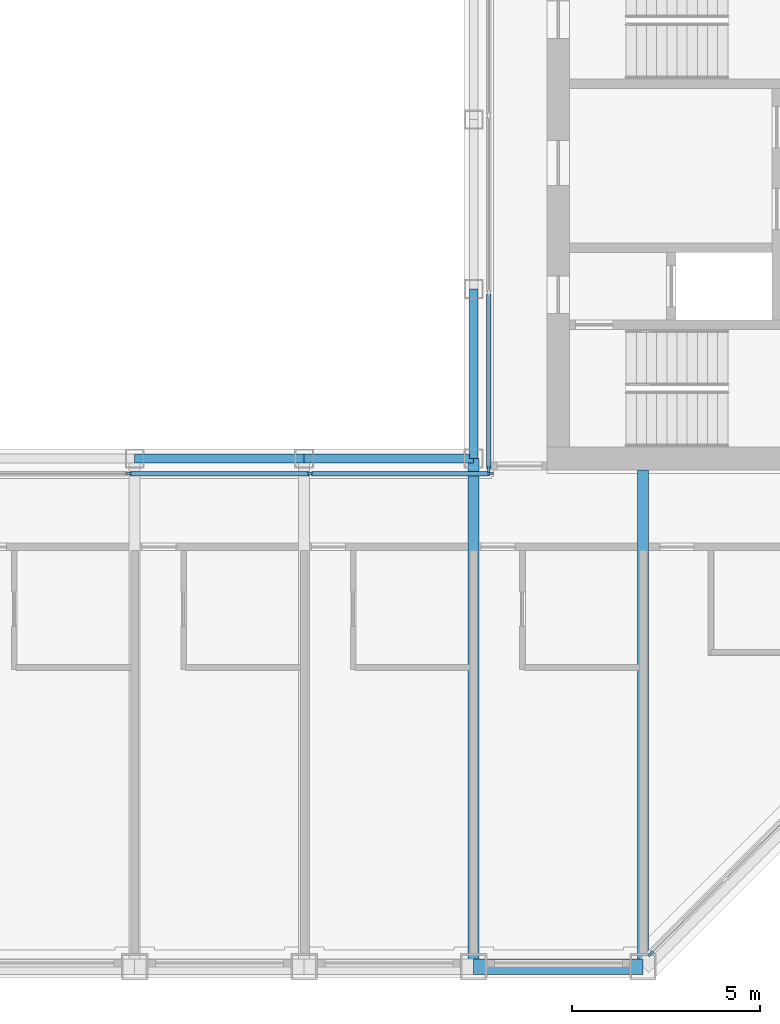
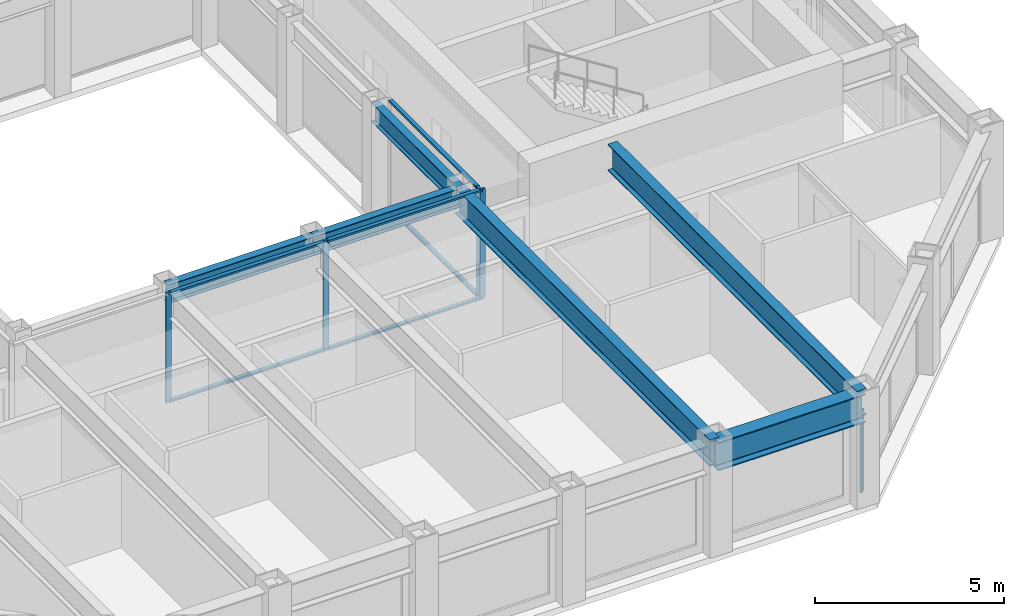
# One storey, part 3 of 18: 11 members, 6 beams, 3 elements without a shape of their own.
"""IFC4 building model written with IfcOpenShell, lengths in metres."""

from ifc_helpers import new_model, si_unit, direction, frame, origin, origin_2d, place, context, subcontext, project, spatial, rectangle, i_section, extrude, material, material_profile, profile_set, type_object, element, aggregate, save


model = new_model("IFC4")

# Units and contexts
model_context = context("Model", 3, precision=1e-05, world=origin(), true_north=direction((0.0, 1.0)))
body_context = subcontext(model_context, "Body", "Model", "MODEL_VIEW")
ifc_project = project(units=[si_unit("LENGTHUNIT", "METRE"), si_unit("AREAUNIT", "SQUARE_METRE"), si_unit("VOLUMEUNIT", "CUBIC_METRE"), si_unit("PLANEANGLEUNIT", "RADIAN"), si_unit("MASSUNIT", "GRAM", prefix="KILO")], contexts=[model_context])

# Site, building, storey
site_placement = place(None, origin())
site = spatial("IfcSite", under=ifc_project, at=site_placement, CompositionType="ELEMENT")
building_placement = place(site_placement, origin())
building = spatial("IfcBuilding", under=site, at=building_placement, Name="Msasa Ring Tower", CompositionType="ELEMENT")
storey_placement = place(building_placement, frame((0.0, 0.0, 208.300048828125)))
storey = spatial("IfcBuildingStorey", under=building, at=storey_placement, Name="L54", CompositionType="ELEMENT", Elevation=208.300048828125)

# Curtain wall, member
ifc_material_1 = material(Name="Aluminium curtain wall with clear glass", Category="aluminium")
curtain_wall_type_1 = type_object("IfcCurtainWallType", Name="CW-C CHAMFER CORNER CURTAIN WALL", PredefinedType="NOTDEFINED", material=ifc_material_1)
curtain_wall_1_placement = place(storey_placement, origin())
curtain_wall_1 = element("IfcCurtainWall", 1, at=curtain_wall_1_placement, inside=storey, type_object=curtain_wall_type_1, Name="Chamfer corner curtain wall SE L54", PredefinedType="NOTDEFINED")
ifc_material_2 = material(Name="Aluminium mullion", Category="aluminium")
ifc_material_profile_1 = material_profile(ifc_material_2, rectangle(XDim=0.06494140625, YDim=0.179931640625, at=origin_2d()), Name="AL 65x180")
ifc_profile_set_1 = profile_set([ifc_material_profile_1], Name="Aluminium mullion")
member_type_1 = type_object("IfcMemberType", Name="CW-C MULLION 65x180", PredefinedType="MULLION", material=ifc_profile_set_1)
member_1_placement = place(storey_placement, frame((11.453369140625, -19.9052734375, 0.0), z_axis=(0.0, 0.0, 1.0), x_axis=(-0.707106781187, 0.707106781187, 0.0)))
member_1 = element("IfcMember", 2, at=member_1_placement, type_object=member_type_1, Name="CW-C mullion 1", PredefinedType="MULLION", context=body_context, shape_type="SweptSolid", body=[
    extrude(rectangle(XDim=0.06494140625, YDim=0.179931640625, at=origin_2d()), origin(), (0.0, 0.0, 1.0), 2.62890625),
])
aggregate(curtain_wall_1, [member_1])

# Curtain wall, members
ifc_material_3 = material(Name="Aluminium curtain wall with clear glass", Category="aluminium")
curtain_wall_type_2 = type_object("IfcCurtainWallType", Name="CW-W LIGHT WELL CURTAIN WALL", PredefinedType="NOTDEFINED", material=ifc_material_3)
curtain_wall_2_placement = place(storey_placement, origin())
curtain_wall_2 = element("IfcCurtainWall", 3, at=curtain_wall_2_placement, inside=storey, type_object=curtain_wall_type_2, Name="Light well curtain wall S L54", PredefinedType="NOTDEFINED")
ifc_material_4 = material(Name="Aluminium mullion", Category="aluminium")
ifc_material_profile_2 = material_profile(ifc_material_4, rectangle(XDim=0.06005859375, YDim=0.159912109375, at=origin_2d()), Name="AL 60x160")
ifc_profile_set_2 = profile_set([ifc_material_profile_2], Name="Aluminium mullion")
member_type_2 = type_object("IfcMemberType", Name="CW-W MULLION 60x160", PredefinedType="MULLION", material=ifc_profile_set_2)
member_2_placement = place(storey_placement, frame((-2.409912109375, -7.14990234375, 0.0), z_axis=(0.0, 0.0, 1.0), x_axis=(0.0, 1.0, 0.0)))
member_2 = element("IfcMember", 4, at=member_2_placement, type_object=member_type_2, Name="CW-W mullion 2", PredefinedType="MULLION", context=body_context, shape_type="SweptSolid", body=[
    extrude(rectangle(XDim=0.06005859375, YDim=0.159912109375, at=origin_2d()), origin(), (0.0, 0.0, 1.0), 3.550048828125),
])
member_3_placement = place(storey_placement, frame((2.409912109375, -7.14990234375, 0.0), z_axis=(0.0, 0.0, 1.0), x_axis=(0.0, 1.0, 0.0)))
member_3 = element("IfcMember", 5, at=member_3_placement, type_object=member_type_2, Name="CW-W mullion 3", PredefinedType="MULLION", context=body_context, shape_type="SweptSolid", body=[
    extrude(rectangle(XDim=0.06005859375, YDim=0.159912109375, at=origin_2d()), origin(), (0.0, 0.0, 1.0), 3.550048828125),
])
member_4_placement = place(storey_placement, frame((7.199951171875, -7.14990234375, 0.0), z_axis=(0.0, 0.0, 1.0), x_axis=(0.0, 1.0, 0.0)))
member_4 = element("IfcMember", 6, at=member_4_placement, type_object=member_type_2, Name="CW-W mullion 4", PredefinedType="MULLION", context=body_context, shape_type="SweptSolid", body=[
    extrude(rectangle(XDim=0.06005859375, YDim=0.159912109375, at=origin_2d()), origin(), (0.0, 0.0, 1.0), 3.550048828125),
])

# Curtain wall, member
curtain_wall_3_placement = place(storey_placement, origin())
curtain_wall_3 = element("IfcCurtainWall", 7, at=curtain_wall_3_placement, inside=storey, type_object=curtain_wall_type_2, Name="Light well curtain wall E L54", PredefinedType="NOTDEFINED")
member_5_placement = place(storey_placement, frame((7.14990234375, -7.0400390625, 0.0), z_axis=(0.0, 0.0, 1.0), x_axis=(-1.0, 0.0, 0.0)))
member_5 = element("IfcMember", 8, at=member_5_placement, type_object=member_type_2, Name="CW-W mullion 1", PredefinedType="MULLION", context=body_context, shape_type="SweptSolid", body=[
    extrude(rectangle(XDim=0.06005859375, YDim=0.159912109375, at=origin_2d()), origin(), (0.0, 0.0, 1.0), 3.550048828125),
])

# Member
ifc_material_5 = material(Name="Aluminium transom", Category="aluminium")
ifc_material_profile_3 = material_profile(ifc_material_5, rectangle(XDim=0.1201171875, YDim=0.06005859375, at=origin_2d()), Name="AL 60x120")
ifc_profile_set_3 = profile_set([ifc_material_profile_3], Name="Aluminium transom")
member_type_3 = type_object("IfcMemberType", Name="CW-W TRANSOM 60x120", PredefinedType="USERDEFINED", material=ifc_profile_set_3)
member_6_placement = place(storey_placement, frame((-2.3798828125, -7.14990234375, 0.030029296875), z_axis=(1.0, 0.0, 0.0), x_axis=(0.0, 1.0, 0.0)))
member_6 = element("IfcMember", 9, at=member_6_placement, type_object=member_type_3, Name="CW-W transom 2.1", ObjectType="TRANSOM", PredefinedType="USERDEFINED", context=body_context, shape_type="SweptSolid", body=[
    extrude(rectangle(XDim=0.1201171875, YDim=0.06005859375, at=origin_2d()), origin(), (0.0, 0.0, 1.0), 4.759765625),
])

member_7_placement = place(storey_placement, frame((-2.3798828125, -7.14990234375, 3.52001953125), z_axis=(1.0, 0.0, 0.0), x_axis=(0.0, 1.0, 0.0)))
member_7 = element("IfcMember", 10, at=member_7_placement, type_object=member_type_3, Name="CW-W transom 2.2", ObjectType="TRANSOM", PredefinedType="USERDEFINED", context=body_context, shape_type="SweptSolid", body=[
    extrude(rectangle(XDim=0.1201171875, YDim=0.06005859375, at=origin_2d()), origin(), (0.0, 0.0, 1.0), 4.759765625),
])

member_8_placement = place(storey_placement, frame((2.43994140625, -7.14990234375, 0.030029296875), z_axis=(1.0, 0.0, 0.0), x_axis=(0.0, 1.0, 0.0)))
member_8 = element("IfcMember", 11, at=member_8_placement, type_object=member_type_3, Name="CW-W transom 3.1", ObjectType="TRANSOM", PredefinedType="USERDEFINED", context=body_context, shape_type="SweptSolid", body=[
    extrude(rectangle(XDim=0.1201171875, YDim=0.06005859375, at=origin_2d()), origin(), (0.0, 0.0, 1.0), 4.72998046875),
])

member_9_placement = place(storey_placement, frame((2.43994140625, -7.14990234375, 3.52001953125), z_axis=(1.0, 0.0, 0.0), x_axis=(0.0, 1.0, 0.0)))
member_9 = element("IfcMember", 12, at=member_9_placement, type_object=member_type_3, Name="CW-W transom 3.2", ObjectType="TRANSOM", PredefinedType="USERDEFINED", context=body_context, shape_type="SweptSolid", body=[
    extrude(rectangle(XDim=0.1201171875, YDim=0.06005859375, at=origin_2d()), origin(), (0.0, 0.0, 1.0), 4.72998046875),
])

aggregate(curtain_wall_2, [member_2, member_3, member_4, member_6, member_7, member_8, member_9])

member_10_placement = place(storey_placement, frame((7.14990234375, -7.010009765625, 0.030029296875), z_axis=(0.0, 1.0, 0.0), x_axis=(-1.0, 0.0, 0.0)))
member_10 = element("IfcMember", 13, at=member_10_placement, type_object=member_type_3, Name="CW-W transom 1.1", ObjectType="TRANSOM", PredefinedType="USERDEFINED", context=body_context, shape_type="SweptSolid", body=[
    extrude(rectangle(XDim=0.1201171875, YDim=0.06005859375, at=origin_2d()), origin(), (0.0, 0.0, 1.0), 4.623291015625),
])

member_11_placement = place(storey_placement, frame((7.14990234375, -7.010009765625, 3.52001953125), z_axis=(0.0, 1.0, 0.0), x_axis=(-1.0, 0.0, 0.0)))
member_11 = element("IfcMember", 14, at=member_11_placement, type_object=member_type_3, Name="CW-W transom 1.2", ObjectType="TRANSOM", PredefinedType="USERDEFINED", context=body_context, shape_type="SweptSolid", body=[
    extrude(rectangle(XDim=0.1201171875, YDim=0.06005859375, at=origin_2d()), origin(), (0.0, 0.0, 1.0), 4.623291015625),
])

aggregate(curtain_wall_3, [member_5, member_10, member_11])

# Beams
ifc_material_6 = material(Name="Steel S355", Category="steel")
ifc_material_profile_4 = material_profile(ifc_material_6, i_section(OverallWidth=0.293701171875, OverallDepth=0.850830078125, WebThickness=0.01611328125, FlangeThickness=0.02685546875, FilletRadius=0.017822265625, at=origin_2d()), Name="UB 838x292x226")
ifc_profile_set_4 = profile_set([ifc_material_profile_4], Name="Steel S355")
beam_type_1 = type_object("IfcBeamType", Name="FB5 UB 838x292x226", PredefinedType="BEAM", material=ifc_profile_set_4)
beam_1_placement = place(storey_placement, frame((6.75, -20.25, 3.12451171875), z_axis=(0.0, 1.0, 0.0), x_axis=(-1.0, 0.0, 0.0)))
element("IfcBeam", 15, at=beam_1_placement, inside=storey, type_object=beam_type_1, Name="Floor beam S+6.75 under L55", PredefinedType="BEAM", context=body_context, shape_type="SweptSolid", body=[
    extrude(i_section(OverallWidth=0.293701171875, OverallDepth=0.850830078125, WebThickness=0.01611328125, FlangeThickness=0.02685546875, FilletRadius=0.017822265625, at=origin_2d()), origin(), (0.0, 0.0, 1.0), 13.5),
])
beam_2_placement = place(storey_placement, frame((11.25, -20.25, 3.12451171875), z_axis=(0.0, 1.0, 0.0), x_axis=(-1.0, 0.0, 0.0)))
element("IfcBeam", 16, at=beam_2_placement, inside=storey, type_object=beam_type_1, Name="Floor beam S+11.25 under L55", PredefinedType="BEAM", context=body_context, shape_type="SweptSolid", body=[
    extrude(i_section(OverallWidth=0.293701171875, OverallDepth=0.850830078125, WebThickness=0.01611328125, FlangeThickness=0.02685546875, FilletRadius=0.017822265625, at=origin_2d()), origin(), (0.0, 0.0, 1.0), 13.199951171875),
])
ifc_material_7 = material(Name="Steel S355", Category="steel")
ifc_material_profile_5 = material_profile(ifc_material_7, i_section(OverallWidth=0.230224609375, OverallDepth=0.6171875, WebThickness=0.01318359375, FlangeThickness=0.022216796875, FilletRadius=0.0126953125, at=origin_2d()), Name="UB 610x229x140")
ifc_profile_set_5 = profile_set([ifc_material_profile_5], Name="Steel S355")
beam_type_2 = type_object("IfcBeamType", Name="RB1 UB 610x229x140", PredefinedType="BEAM", material=ifc_profile_set_5)
for number, where, z_axis, x_axis, name in (
    (17, (-2.25, -6.75, 3.241455078125), (1.0, 0.0, 0.0), (0.0, 1.0, 0.0), "Inner ring beam IR-2.25-6.75 under L55"),
    (18, (2.25, -6.75, 3.241455078125), (1.0, 0.0, 0.0), (0.0, 1.0, 0.0), "Inner ring beam IR+2.25-6.75 under L55"),
    (19, (6.75, -6.75, 3.241455078125), (0.0, 1.0, 0.0), (-1.0, 0.0, 0.0), "Inner ring beam IR+6.75-6.75 under L55"),
):
    element("IfcBeam", number, at=place(storey_placement, frame(where, z_axis=z_axis, x_axis=x_axis)), inside=storey, type_object=beam_type_2, Name=name, PredefinedType="BEAM", context=body_context, shape_type="SweptSolid", body=[
        extrude(i_section(OverallWidth=0.230224609375, OverallDepth=0.6171875, WebThickness=0.01318359375, FlangeThickness=0.022216796875, FilletRadius=0.0126953125, at=origin_2d()), origin(), (0.0, 0.0, 1.0), 4.5),
    ])
ifc_material_8 = material(Name="Steel S355", Category="steel")
ifc_material_profile_6 = material_profile(ifc_material_8, i_section(OverallWidth=0.42041015625, OverallDepth=0.9208984375, WebThickness=0.021484375, FlangeThickness=0.03662109375, FilletRadius=0.024169921875, at=origin_2d()), Name="UB 914x419x388")
ifc_profile_set_6 = profile_set([ifc_material_profile_6], Name="Steel S355")
beam_type_3 = type_object("IfcBeamType", Name="SB1 UB 914x419x388", PredefinedType="SPANDREL", material=ifc_profile_set_6)
beam_3_placement = place(storey_placement, frame((6.75, -20.25, 3.08935546875), z_axis=(1.0, 0.0, 0.0), x_axis=(0.0, 1.0, 0.0)))
element("IfcBeam", 20, at=beam_3_placement, inside=storey, type_object=beam_type_3, Name="Spandrel S+6.75 to S+11.25 under L55", PredefinedType="SPANDREL", context=body_context, shape_type="SweptSolid", body=[
    extrude(i_section(OverallWidth=0.42041015625, OverallDepth=0.9208984375, WebThickness=0.021484375, FlangeThickness=0.03662109375, FilletRadius=0.024169921875, at=origin_2d()), origin(), (0.0, 0.0, 1.0), 4.5),
])

save(model, "model.ifc")
